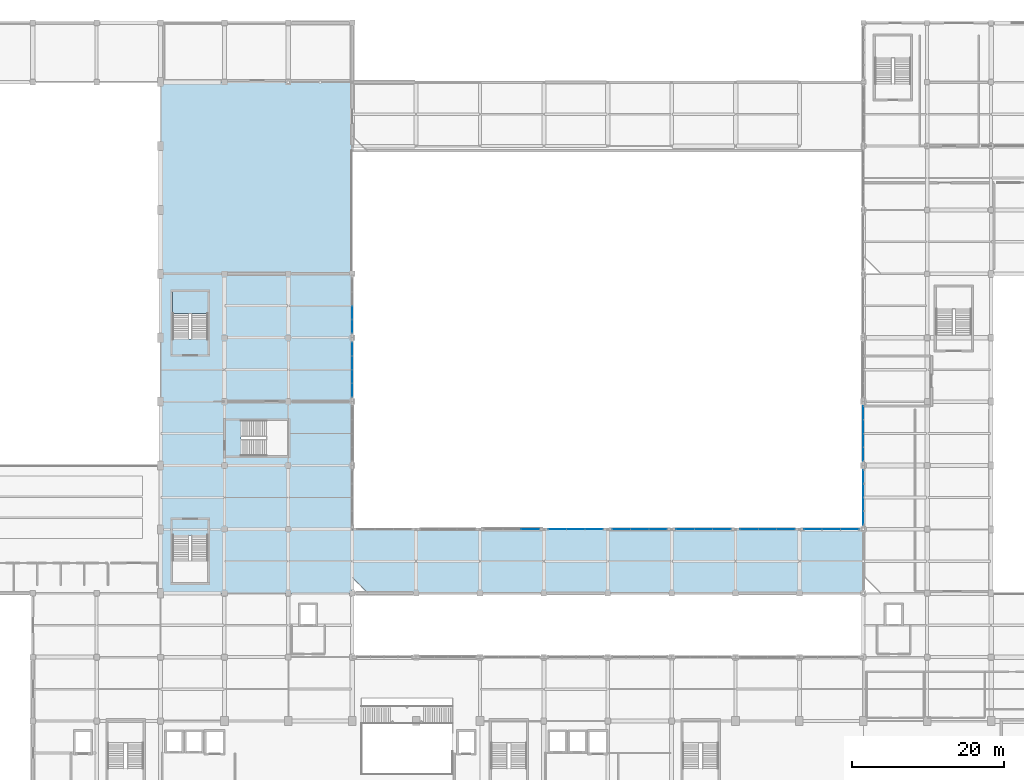
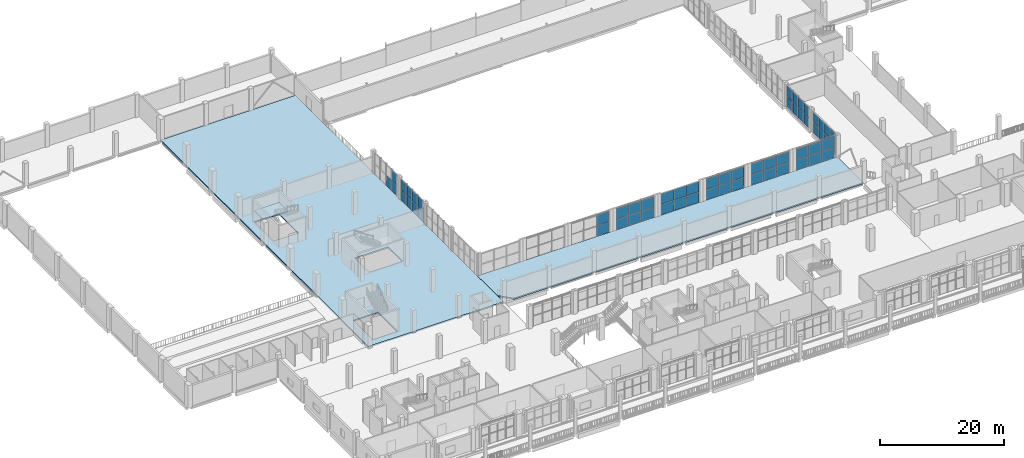
# One storey, part 49 of 75: 59 plates, 3 slabs, 11 elements without a shape of their own.
"""IFC4 building model written with IfcOpenShell, lengths in metres."""

from ifc_helpers import new_model, si_unit, derived_unit, direction, frame, origin, origin_2d, place, context, subcontext, project, spatial, polyline, rectangle, outline, extrude, material, layer, layer_set, type_object, element, aggregate, save


model = new_model("IFC4")

# Units and contexts
model_context = context("Model", 3, precision=1e-05, world=origin(), true_north=direction((0.0, 1.0)))
body_context = subcontext(model_context, "Body", "Model", "MODEL_VIEW")
ifc_project = project(units=[si_unit("LENGTHUNIT", "METRE"), si_unit("AREAUNIT", "SQUARE_METRE"), si_unit("VOLUMEUNIT", "CUBIC_METRE"), si_unit("PLANEANGLEUNIT", "RADIAN"), si_unit("MASSUNIT", "GRAM", prefix="KILO"), derived_unit("THERMALTRANSMITTANCEUNIT", [(si_unit("POWERUNIT", "WATT"), 1), (si_unit("LENGTHUNIT", "METRE"), -2), (si_unit("THERMODYNAMICTEMPERATUREUNIT", "KELVIN"), -1)])], contexts=[model_context])

# Site, building, storey
site_placement = place(None, origin())
site = spatial("IfcSite", under=ifc_project, at=site_placement, CompositionType="ELEMENT")
building_placement = place(site_placement, origin())
building = spatial("IfcBuilding", under=site, at=building_placement, Name="Barrovel Congress Hotel", CompositionType="ELEMENT")
storey_placement = place(building_placement, frame((0.0, 0.0, 5.39990234375)))
storey = spatial("IfcBuildingStorey", under=building, at=storey_placement, Name="L01", CompositionType="ELEMENT", Elevation=5.39990234375)

# Curtain wall, plates
ifc_material_1 = material(Name="Anodised Aluminium Alloy 6063-T6", Category="aluminium")
curtain_wall_type = type_object("IfcCurtainWallType", Name="CW-ST-7200x3600", PredefinedType="USERDEFINED", material=ifc_material_1)
curtain_wall_1_placement = place(storey_placement, origin())
curtain_wall_1 = element("IfcCurtainWall", 1, at=curtain_wall_1_placement, inside=storey, type_object=curtain_wall_type, Name="CW:L01:CW:71.4", ObjectType="STICK CURTAIN WALL", PredefinedType="USERDEFINED")
ifc_material_2 = material(Name="Double Low-E Insulated Glazing", Category="glass")
ifc_layer_1 = layer(ifc_material_2, 0.028076171875)
ifc_layer_set_1 = layer_set([ifc_layer_1], Name="Double Low-E Insulated Glazing")
plate_type_1 = type_object("IfcPlateType", Name="CWP-28", PredefinedType="CURTAIN_PANEL", material=ifc_layer_set_1)
plate_1_placement = place(storey_placement, frame((58.800048828125, 72.89990234375, 0.0302734375), z_axis=(0.0, 0.0, 1.0), x_axis=(0.0, 1.0, 0.0)))
plate_1 = element("IfcPlate", 2, at=plate_1_placement, type_object=plate_type_1, Name="CW:L01:CW:71.4:P0-0", PredefinedType="CURTAIN_PANEL", context=body_context, shape_type="SweptSolid", body=[
    extrude(rectangle(XDim=1.739990234375, YDim=0.028076171875, at=origin_2d()), origin(), (0.0, 0.0, 1.0), 2.050048828125),
])
plate_2_placement = place(storey_placement, frame((58.800048828125, 72.89990234375, 2.14013671875), z_axis=(0.0, 0.0, 1.0), x_axis=(0.0, 1.0, 0.0)))
plate_2 = element("IfcPlate", 3, at=plate_2_placement, type_object=plate_type_1, Name="CW:L01:CW:71.4:P0-1", PredefinedType="CURTAIN_PANEL", context=body_context, shape_type="SweptSolid", body=[
    extrude(rectangle(XDim=1.739990234375, YDim=0.028076171875, at=origin_2d()), origin(), (0.0, 0.0, 1.0), 2.050048828125),
])
plate_3_placement = place(storey_placement, frame((58.800048828125, 74.699951171875, 0.0302734375), z_axis=(0.0, 0.0, 1.0), x_axis=(0.0, 1.0, 0.0)))
plate_3 = element("IfcPlate", 4, at=plate_3_placement, type_object=plate_type_1, Name="CW:L01:CW:71.4:P1-0", PredefinedType="CURTAIN_PANEL", context=body_context, shape_type="SweptSolid", body=[
    extrude(rectangle(XDim=1.739990234375, YDim=0.028076171875, at=origin_2d()), origin(), (0.0, 0.0, 1.0), 2.050048828125),
])
aggregate(curtain_wall_1, [plate_1, plate_2, plate_3])

curtain_wall_2_placement = place(storey_placement, origin())
curtain_wall_2 = element("IfcCurtainWall", 5, at=curtain_wall_2_placement, inside=storey, type_object=curtain_wall_type, Name="CW:L01:CE:54.6", ObjectType="STICK CURTAIN WALL", PredefinedType="USERDEFINED")
plate_4_placement = place(storey_placement, frame((126.0, 61.5, 0.0302734375), z_axis=(0.0, 0.0, 1.0), x_axis=(0.0, -1.0, 0.0)))
plate_4 = element("IfcPlate", 6, at=plate_4_placement, type_object=plate_type_1, Name="CW:L01:CE:54.6:P0-0", PredefinedType="CURTAIN_PANEL", context=body_context, shape_type="SweptSolid", body=[
    extrude(rectangle(XDim=1.739990234375, YDim=0.028076171875, at=origin_2d()), origin(), (0.0, 0.0, 1.0), 2.050048828125),
])
plate_5_placement = place(storey_placement, frame((126.0, 61.5, 2.14013671875), z_axis=(0.0, 0.0, 1.0), x_axis=(0.0, -1.0, 0.0)))
plate_5 = element("IfcPlate", 7, at=plate_5_placement, type_object=plate_type_1, Name="CW:L01:CE:54.6:P0-1", PredefinedType="CURTAIN_PANEL", context=body_context, shape_type="SweptSolid", body=[
    extrude(rectangle(XDim=1.739990234375, YDim=0.028076171875, at=origin_2d()), origin(), (0.0, 0.0, 1.0), 2.050048828125),
])
plate_6_placement = place(storey_placement, frame((126.0, 59.699951171875, 0.0302734375), z_axis=(0.0, 0.0, 1.0), x_axis=(0.0, -1.0, 0.0)))
plate_6 = element("IfcPlate", 8, at=plate_6_placement, type_object=plate_type_1, Name="CW:L01:CE:54.6:P1-0", PredefinedType="CURTAIN_PANEL", context=body_context, shape_type="SweptSolid", body=[
    extrude(rectangle(XDim=1.739990234375, YDim=0.028076171875, at=origin_2d()), origin(), (0.0, 0.0, 1.0), 2.050048828125),
])
plate_7_placement = place(storey_placement, frame((126.0, 59.699951171875, 2.14013671875), z_axis=(0.0, 0.0, 1.0), x_axis=(0.0, -1.0, 0.0)))
plate_7 = element("IfcPlate", 9, at=plate_7_placement, type_object=plate_type_1, Name="CW:L01:CE:54.6:P1-1", PredefinedType="CURTAIN_PANEL", context=body_context, shape_type="SweptSolid", body=[
    extrude(rectangle(XDim=1.739990234375, YDim=0.028076171875, at=origin_2d()), origin(), (0.0, 0.0, 1.0), 2.050048828125),
])
plate_8_placement = place(storey_placement, frame((126.0, 57.89990234375, 0.0302734375), z_axis=(0.0, 0.0, 1.0), x_axis=(0.0, -1.0, 0.0)))
plate_8 = element("IfcPlate", 10, at=plate_8_placement, type_object=plate_type_1, Name="CW:L01:CE:54.6:P2-0", PredefinedType="CURTAIN_PANEL", context=body_context, shape_type="SweptSolid", body=[
    extrude(rectangle(XDim=1.739990234375, YDim=0.028076171875, at=origin_2d()), origin(), (0.0, 0.0, 1.0), 2.050048828125),
])
plate_9_placement = place(storey_placement, frame((126.0, 57.89990234375, 2.14013671875), z_axis=(0.0, 0.0, 1.0), x_axis=(0.0, -1.0, 0.0)))
plate_9 = element("IfcPlate", 11, at=plate_9_placement, type_object=plate_type_1, Name="CW:L01:CE:54.6:P2-1", PredefinedType="CURTAIN_PANEL", context=body_context, shape_type="SweptSolid", body=[
    extrude(rectangle(XDim=1.739990234375, YDim=0.028076171875, at=origin_2d()), origin(), (0.0, 0.0, 1.0), 2.050048828125),
])
plate_10_placement = place(storey_placement, frame((126.0, 56.10009765625, 0.0302734375), z_axis=(0.0, 0.0, 1.0), x_axis=(0.0, -1.0, 0.0)))
plate_10 = element("IfcPlate", 12, at=plate_10_placement, type_object=plate_type_1, Name="CW:L01:CE:54.6:P3-0", PredefinedType="CURTAIN_PANEL", context=body_context, shape_type="SweptSolid", body=[
    extrude(rectangle(XDim=1.739990234375, YDim=0.028076171875, at=origin_2d()), origin(), (0.0, 0.0, 1.0), 2.050048828125),
])
plate_11_placement = place(storey_placement, frame((126.0, 56.10009765625, 2.14013671875), z_axis=(0.0, 0.0, 1.0), x_axis=(0.0, -1.0, 0.0)))
plate_11 = element("IfcPlate", 13, at=plate_11_placement, type_object=plate_type_1, Name="CW:L01:CE:54.6:P3-1", PredefinedType="CURTAIN_PANEL", context=body_context, shape_type="SweptSolid", body=[
    extrude(rectangle(XDim=1.739990234375, YDim=0.028076171875, at=origin_2d()), origin(), (0.0, 0.0, 1.0), 2.050048828125),
])
aggregate(curtain_wall_2, [plate_4, plate_5, plate_6, plate_7, plate_8, plate_9, plate_10, plate_11])

curtain_wall_3_placement = place(storey_placement, origin())
curtain_wall_3 = element("IfcCurtainWall", 14, at=curtain_wall_3_placement, inside=storey, type_object=curtain_wall_type, Name="CW:L01:CL:10", ObjectType="STICK CURTAIN WALL", PredefinedType="USERDEFINED")
plate_12_placement = place(storey_placement, frame((90.60009765625, 46.199951171875, 0.0302734375), z_axis=(0.0, 0.0, 1.0), x_axis=(-1.0, 0.0, 0.0)))
plate_12 = element("IfcPlate", 15, at=plate_12_placement, type_object=plate_type_1, Name="CW:L01:CL:10:P0-0", PredefinedType="CURTAIN_PANEL", context=body_context, shape_type="SweptSolid", body=[
    extrude(rectangle(XDim=2.340087890625, YDim=0.028076171875, at=origin_2d()), origin(), (0.0, 0.0, 1.0), 2.050048828125),
])
plate_13_placement = place(storey_placement, frame((90.60009765625, 46.199951171875, 2.14013671875), z_axis=(0.0, 0.0, 1.0), x_axis=(-1.0, 0.0, 0.0)))
plate_13 = element("IfcPlate", 16, at=plate_13_placement, type_object=plate_type_1, Name="CW:L01:CL:10:P0-1", PredefinedType="CURTAIN_PANEL", context=body_context, shape_type="SweptSolid", body=[
    extrude(rectangle(XDim=2.340087890625, YDim=0.028076171875, at=origin_2d()), origin(), (0.0, 0.0, 1.0), 2.050048828125),
])
plate_14_placement = place(storey_placement, frame((88.199951171875, 46.199951171875, 0.0302734375), z_axis=(0.0, 0.0, 1.0), x_axis=(-1.0, 0.0, 0.0)))
plate_14 = element("IfcPlate", 17, at=plate_14_placement, type_object=plate_type_1, Name="CW:L01:CL:10:P1-0", PredefinedType="CURTAIN_PANEL", context=body_context, shape_type="SweptSolid", body=[
    extrude(rectangle(XDim=2.340087890625, YDim=0.028076171875, at=origin_2d()), origin(), (0.0, 0.0, 1.0), 2.050048828125),
])
plate_15_placement = place(storey_placement, frame((88.199951171875, 46.199951171875, 2.14013671875), z_axis=(0.0, 0.0, 1.0), x_axis=(-1.0, 0.0, 0.0)))
plate_15 = element("IfcPlate", 18, at=plate_15_placement, type_object=plate_type_1, Name="CW:L01:CL:10:P1-1", PredefinedType="CURTAIN_PANEL", context=body_context, shape_type="SweptSolid", body=[
    extrude(rectangle(XDim=2.340087890625, YDim=0.028076171875, at=origin_2d()), origin(), (0.0, 0.0, 1.0), 2.050048828125),
])
plate_16_placement = place(storey_placement, frame((85.800048828125, 46.199951171875, 0.0302734375), z_axis=(0.0, 0.0, 1.0), x_axis=(-1.0, 0.0, 0.0)))
plate_16 = element("IfcPlate", 19, at=plate_16_placement, type_object=plate_type_1, Name="CW:L01:CL:10:P2-0", PredefinedType="CURTAIN_PANEL", context=body_context, shape_type="SweptSolid", body=[
    extrude(rectangle(XDim=2.340087890625, YDim=0.028076171875, at=origin_2d()), origin(), (0.0, 0.0, 1.0), 2.050048828125),
])
plate_17_placement = place(storey_placement, frame((85.800048828125, 46.199951171875, 2.14013671875), z_axis=(0.0, 0.0, 1.0), x_axis=(-1.0, 0.0, 0.0)))
plate_17 = element("IfcPlate", 20, at=plate_17_placement, type_object=plate_type_1, Name="CW:L01:CL:10:P2-1", PredefinedType="CURTAIN_PANEL", context=body_context, shape_type="SweptSolid", body=[
    extrude(rectangle(XDim=2.340087890625, YDim=0.028076171875, at=origin_2d()), origin(), (0.0, 0.0, 1.0), 2.050048828125),
])
aggregate(curtain_wall_3, [plate_12, plate_13, plate_14, plate_15, plate_16, plate_17])

curtain_wall_4_placement = place(storey_placement, origin())
curtain_wall_4 = element("IfcCurtainWall", 21, at=curtain_wall_4_placement, inside=storey, type_object=curtain_wall_type, Name="CW:L01:CL:12", ObjectType="STICK CURTAIN WALL", PredefinedType="USERDEFINED")
plate_18_placement = place(storey_placement, frame((107.39990234375, 46.199951171875, 0.0302734375), z_axis=(0.0, 0.0, 1.0), x_axis=(-1.0, 0.0, 0.0)))
plate_18 = element("IfcPlate", 22, at=plate_18_placement, type_object=plate_type_1, Name="CW:L01:CL:12:P0-0", PredefinedType="CURTAIN_PANEL", context=body_context, shape_type="SweptSolid", body=[
    extrude(rectangle(XDim=2.340087890625, YDim=0.028076171875, at=origin_2d()), origin(), (0.0, 0.0, 1.0), 2.050048828125),
])
plate_19_placement = place(storey_placement, frame((107.39990234375, 46.199951171875, 2.14013671875), z_axis=(0.0, 0.0, 1.0), x_axis=(-1.0, 0.0, 0.0)))
plate_19 = element("IfcPlate", 23, at=plate_19_placement, type_object=plate_type_1, Name="CW:L01:CL:12:P0-1", PredefinedType="CURTAIN_PANEL", context=body_context, shape_type="SweptSolid", body=[
    extrude(rectangle(XDim=2.340087890625, YDim=0.028076171875, at=origin_2d()), origin(), (0.0, 0.0, 1.0), 2.050048828125),
])
plate_20_placement = place(storey_placement, frame((105.0, 46.199951171875, 0.0302734375), z_axis=(0.0, 0.0, 1.0), x_axis=(-1.0, 0.0, 0.0)))
plate_20 = element("IfcPlate", 24, at=plate_20_placement, type_object=plate_type_1, Name="CW:L01:CL:12:P1-0", PredefinedType="CURTAIN_PANEL", context=body_context, shape_type="SweptSolid", body=[
    extrude(rectangle(XDim=2.340087890625, YDim=0.028076171875, at=origin_2d()), origin(), (0.0, 0.0, 1.0), 2.050048828125),
])
plate_21_placement = place(storey_placement, frame((105.0, 46.199951171875, 2.14013671875), z_axis=(0.0, 0.0, 1.0), x_axis=(-1.0, 0.0, 0.0)))
plate_21 = element("IfcPlate", 25, at=plate_21_placement, type_object=plate_type_1, Name="CW:L01:CL:12:P1-1", PredefinedType="CURTAIN_PANEL", context=body_context, shape_type="SweptSolid", body=[
    extrude(rectangle(XDim=2.340087890625, YDim=0.028076171875, at=origin_2d()), origin(), (0.0, 0.0, 1.0), 2.050048828125),
])
plate_22_placement = place(storey_placement, frame((102.60009765625, 46.199951171875, 0.0302734375), z_axis=(0.0, 0.0, 1.0), x_axis=(-1.0, 0.0, 0.0)))
plate_22 = element("IfcPlate", 26, at=plate_22_placement, type_object=plate_type_1, Name="CW:L01:CL:12:P2-0", PredefinedType="CURTAIN_PANEL", context=body_context, shape_type="SweptSolid", body=[
    extrude(rectangle(XDim=2.340087890625, YDim=0.028076171875, at=origin_2d()), origin(), (0.0, 0.0, 1.0), 2.050048828125),
])
plate_23_placement = place(storey_placement, frame((102.60009765625, 46.199951171875, 2.14013671875), z_axis=(0.0, 0.0, 1.0), x_axis=(-1.0, 0.0, 0.0)))
plate_23 = element("IfcPlate", 27, at=plate_23_placement, type_object=plate_type_1, Name="CW:L01:CL:12:P2-1", PredefinedType="CURTAIN_PANEL", context=body_context, shape_type="SweptSolid", body=[
    extrude(rectangle(XDim=2.340087890625, YDim=0.028076171875, at=origin_2d()), origin(), (0.0, 0.0, 1.0), 2.050048828125),
])
aggregate(curtain_wall_4, [plate_18, plate_19, plate_20, plate_21, plate_22, plate_23])

curtain_wall_5_placement = place(storey_placement, origin())
curtain_wall_5 = element("IfcCurtainWall", 28, at=curtain_wall_5_placement, inside=storey, type_object=curtain_wall_type, Name="CW:L01:CL:14", ObjectType="STICK CURTAIN WALL", PredefinedType="USERDEFINED")
plate_24_placement = place(storey_placement, frame((124.199951171875, 46.199951171875, 0.0302734375), z_axis=(0.0, 0.0, 1.0), x_axis=(-1.0, 0.0, 0.0)))
plate_24 = element("IfcPlate", 29, at=plate_24_placement, type_object=plate_type_1, Name="CW:L01:CL:14:P0-0", PredefinedType="CURTAIN_PANEL", context=body_context, shape_type="SweptSolid", body=[
    extrude(rectangle(XDim=2.340087890625, YDim=0.028076171875, at=origin_2d()), origin(), (0.0, 0.0, 1.0), 2.050048828125),
])
plate_25_placement = place(storey_placement, frame((124.199951171875, 46.199951171875, 2.14013671875), z_axis=(0.0, 0.0, 1.0), x_axis=(-1.0, 0.0, 0.0)))
plate_25 = element("IfcPlate", 30, at=plate_25_placement, type_object=plate_type_1, Name="CW:L01:CL:14:P0-1", PredefinedType="CURTAIN_PANEL", context=body_context, shape_type="SweptSolid", body=[
    extrude(rectangle(XDim=2.340087890625, YDim=0.028076171875, at=origin_2d()), origin(), (0.0, 0.0, 1.0), 2.050048828125),
])
plate_26_placement = place(storey_placement, frame((121.800048828125, 46.199951171875, 0.0302734375), z_axis=(0.0, 0.0, 1.0), x_axis=(-1.0, 0.0, 0.0)))
plate_26 = element("IfcPlate", 31, at=plate_26_placement, type_object=plate_type_1, Name="CW:L01:CL:14:P1-0", PredefinedType="CURTAIN_PANEL", context=body_context, shape_type="SweptSolid", body=[
    extrude(rectangle(XDim=2.340087890625, YDim=0.028076171875, at=origin_2d()), origin(), (0.0, 0.0, 1.0), 2.050048828125),
])
plate_27_placement = place(storey_placement, frame((121.800048828125, 46.199951171875, 2.14013671875), z_axis=(0.0, 0.0, 1.0), x_axis=(-1.0, 0.0, 0.0)))
plate_27 = element("IfcPlate", 32, at=plate_27_placement, type_object=plate_type_1, Name="CW:L01:CL:14:P1-1", PredefinedType="CURTAIN_PANEL", context=body_context, shape_type="SweptSolid", body=[
    extrude(rectangle(XDim=2.340087890625, YDim=0.028076171875, at=origin_2d()), origin(), (0.0, 0.0, 1.0), 2.050048828125),
])
plate_28_placement = place(storey_placement, frame((119.39990234375, 46.199951171875, 0.0302734375), z_axis=(0.0, 0.0, 1.0), x_axis=(-1.0, 0.0, 0.0)))
plate_28 = element("IfcPlate", 33, at=plate_28_placement, type_object=plate_type_1, Name="CW:L01:CL:14:P2-0", PredefinedType="CURTAIN_PANEL", context=body_context, shape_type="SweptSolid", body=[
    extrude(rectangle(XDim=2.340087890625, YDim=0.028076171875, at=origin_2d()), origin(), (0.0, 0.0, 1.0), 2.050048828125),
])
plate_29_placement = place(storey_placement, frame((119.39990234375, 46.199951171875, 2.14013671875), z_axis=(0.0, 0.0, 1.0), x_axis=(-1.0, 0.0, 0.0)))
plate_29 = element("IfcPlate", 34, at=plate_29_placement, type_object=plate_type_1, Name="CW:L01:CL:14:P2-1", PredefinedType="CURTAIN_PANEL", context=body_context, shape_type="SweptSolid", body=[
    extrude(rectangle(XDim=2.340087890625, YDim=0.028076171875, at=origin_2d()), origin(), (0.0, 0.0, 1.0), 2.050048828125),
])
aggregate(curtain_wall_5, [plate_24, plate_25, plate_26, plate_27, plate_28, plate_29])

curtain_wall_6_placement = place(storey_placement, origin())
curtain_wall_6 = element("IfcCurtainWall", 35, at=curtain_wall_6_placement, inside=storey, type_object=curtain_wall_type, Name="CW:L01:CW:63.0", ObjectType="STICK CURTAIN WALL", PredefinedType="USERDEFINED")
ifc_layer_2 = layer(ifc_material_2, 0.031982421875)
ifc_layer_set_2 = layer_set([ifc_layer_2], Name="Double Low-E Insulated Glazing")
plate_type_2 = type_object("IfcPlateType", Name="CWP-32", PredefinedType="CURTAIN_PANEL", material=ifc_layer_set_2)
plate_30_placement = place(storey_placement, frame((58.800048828125, 64.5, 0.0302734375), z_axis=(0.0, 0.0, 1.0), x_axis=(0.0, 1.0, 0.0)))
plate_30 = element("IfcPlate", 36, at=plate_30_placement, type_object=plate_type_2, Name="CW:L01:CW:63.0:P0-0", PredefinedType="CURTAIN_PANEL", context=body_context, shape_type="SweptSolid", body=[
    extrude(rectangle(XDim=1.739990234375, YDim=0.031982421875, at=origin_2d()), origin(), (0.0, 0.0, 1.0), 2.050048828125),
])
plate_31_placement = place(storey_placement, frame((58.800048828125, 64.5, 2.14013671875), z_axis=(0.0, 0.0, 1.0), x_axis=(0.0, 1.0, 0.0)))
plate_31 = element("IfcPlate", 37, at=plate_31_placement, type_object=plate_type_2, Name="CW:L01:CW:63.0:P0-1", PredefinedType="CURTAIN_PANEL", context=body_context, shape_type="SweptSolid", body=[
    extrude(rectangle(XDim=1.739990234375, YDim=0.031982421875, at=origin_2d()), origin(), (0.0, 0.0, 1.0), 2.050048828125),
])
plate_32_placement = place(storey_placement, frame((58.800048828125, 66.300048828125, 0.0302734375), z_axis=(0.0, 0.0, 1.0), x_axis=(0.0, 1.0, 0.0)))
plate_32 = element("IfcPlate", 38, at=plate_32_placement, type_object=plate_type_2, Name="CW:L01:CW:63.0:P1-0", PredefinedType="CURTAIN_PANEL", context=body_context, shape_type="SweptSolid", body=[
    extrude(rectangle(XDim=1.739990234375, YDim=0.031982421875, at=origin_2d()), origin(), (0.0, 0.0, 1.0), 2.050048828125),
])
plate_33_placement = place(storey_placement, frame((58.800048828125, 66.300048828125, 2.14013671875), z_axis=(0.0, 0.0, 1.0), x_axis=(0.0, 1.0, 0.0)))
plate_33 = element("IfcPlate", 39, at=plate_33_placement, type_object=plate_type_2, Name="CW:L01:CW:63.0:P1-1", PredefinedType="CURTAIN_PANEL", context=body_context, shape_type="SweptSolid", body=[
    extrude(rectangle(XDim=1.739990234375, YDim=0.031982421875, at=origin_2d()), origin(), (0.0, 0.0, 1.0), 2.050048828125),
])
plate_34_placement = place(storey_placement, frame((58.800048828125, 68.10009765625, 0.0302734375), z_axis=(0.0, 0.0, 1.0), x_axis=(0.0, 1.0, 0.0)))
plate_34 = element("IfcPlate", 40, at=plate_34_placement, type_object=plate_type_2, Name="CW:L01:CW:63.0:P2-0", PredefinedType="CURTAIN_PANEL", context=body_context, shape_type="SweptSolid", body=[
    extrude(rectangle(XDim=1.739990234375, YDim=0.031982421875, at=origin_2d()), origin(), (0.0, 0.0, 1.0), 2.050048828125),
])
plate_35_placement = place(storey_placement, frame((58.800048828125, 68.10009765625, 2.14013671875), z_axis=(0.0, 0.0, 1.0), x_axis=(0.0, 1.0, 0.0)))
plate_35 = element("IfcPlate", 41, at=plate_35_placement, type_object=plate_type_2, Name="CW:L01:CW:63.0:P2-1", PredefinedType="CURTAIN_PANEL", context=body_context, shape_type="SweptSolid", body=[
    extrude(rectangle(XDim=1.739990234375, YDim=0.031982421875, at=origin_2d()), origin(), (0.0, 0.0, 1.0), 2.050048828125),
])
plate_36_placement = place(storey_placement, frame((58.800048828125, 69.89990234375, 0.0302734375), z_axis=(0.0, 0.0, 1.0), x_axis=(0.0, 1.0, 0.0)))
plate_36 = element("IfcPlate", 42, at=plate_36_placement, type_object=plate_type_2, Name="CW:L01:CW:63.0:P3-0", PredefinedType="CURTAIN_PANEL", context=body_context, shape_type="SweptSolid", body=[
    extrude(rectangle(XDim=1.739990234375, YDim=0.031982421875, at=origin_2d()), origin(), (0.0, 0.0, 1.0), 2.050048828125),
])
plate_37_placement = place(storey_placement, frame((58.800048828125, 69.89990234375, 2.14013671875), z_axis=(0.0, 0.0, 1.0), x_axis=(0.0, 1.0, 0.0)))
plate_37 = element("IfcPlate", 43, at=plate_37_placement, type_object=plate_type_2, Name="CW:L01:CW:63.0:P3-1", PredefinedType="CURTAIN_PANEL", context=body_context, shape_type="SweptSolid", body=[
    extrude(rectangle(XDim=1.739990234375, YDim=0.031982421875, at=origin_2d()), origin(), (0.0, 0.0, 1.0), 2.050048828125),
])
aggregate(curtain_wall_6, [plate_30, plate_31, plate_32, plate_33, plate_34, plate_35, plate_36, plate_37])

curtain_wall_7_placement = place(storey_placement, origin())
curtain_wall_7 = element("IfcCurtainWall", 44, at=curtain_wall_7_placement, inside=storey, type_object=curtain_wall_type, Name="CW:L01:CE:46.2", ObjectType="STICK CURTAIN WALL", PredefinedType="USERDEFINED")
plate_38_placement = place(storey_placement, frame((126.0, 53.10009765625, 0.0302734375), z_axis=(0.0, 0.0, 1.0), x_axis=(0.0, -1.0, 0.0)))
plate_38 = element("IfcPlate", 45, at=plate_38_placement, type_object=plate_type_2, Name="CW:L01:CE:46.2:P0-0", PredefinedType="CURTAIN_PANEL", context=body_context, shape_type="SweptSolid", body=[
    extrude(rectangle(XDim=1.739990234375, YDim=0.031982421875, at=origin_2d()), origin(), (0.0, 0.0, 1.0), 2.050048828125),
])
plate_39_placement = place(storey_placement, frame((126.0, 53.10009765625, 2.14013671875), z_axis=(0.0, 0.0, 1.0), x_axis=(0.0, -1.0, 0.0)))
plate_39 = element("IfcPlate", 46, at=plate_39_placement, type_object=plate_type_2, Name="CW:L01:CE:46.2:P0-1", PredefinedType="CURTAIN_PANEL", context=body_context, shape_type="SweptSolid", body=[
    extrude(rectangle(XDim=1.739990234375, YDim=0.031982421875, at=origin_2d()), origin(), (0.0, 0.0, 1.0), 2.050048828125),
])
plate_40_placement = place(storey_placement, frame((126.0, 51.300048828125, 0.0302734375), z_axis=(0.0, 0.0, 1.0), x_axis=(0.0, -1.0, 0.0)))
plate_40 = element("IfcPlate", 47, at=plate_40_placement, type_object=plate_type_2, Name="CW:L01:CE:46.2:P1-0", PredefinedType="CURTAIN_PANEL", context=body_context, shape_type="SweptSolid", body=[
    extrude(rectangle(XDim=1.739990234375, YDim=0.031982421875, at=origin_2d()), origin(), (0.0, 0.0, 1.0), 2.050048828125),
])
plate_41_placement = place(storey_placement, frame((126.0, 51.300048828125, 2.14013671875), z_axis=(0.0, 0.0, 1.0), x_axis=(0.0, -1.0, 0.0)))
plate_41 = element("IfcPlate", 48, at=plate_41_placement, type_object=plate_type_2, Name="CW:L01:CE:46.2:P1-1", PredefinedType="CURTAIN_PANEL", context=body_context, shape_type="SweptSolid", body=[
    extrude(rectangle(XDim=1.739990234375, YDim=0.031982421875, at=origin_2d()), origin(), (0.0, 0.0, 1.0), 2.050048828125),
])
plate_42_placement = place(storey_placement, frame((126.0, 49.5, 0.0302734375), z_axis=(0.0, 0.0, 1.0), x_axis=(0.0, -1.0, 0.0)))
plate_42 = element("IfcPlate", 49, at=plate_42_placement, type_object=plate_type_2, Name="CW:L01:CE:46.2:P2-0", PredefinedType="CURTAIN_PANEL", context=body_context, shape_type="SweptSolid", body=[
    extrude(rectangle(XDim=1.739990234375, YDim=0.031982421875, at=origin_2d()), origin(), (0.0, 0.0, 1.0), 2.050048828125),
])
plate_43_placement = place(storey_placement, frame((126.0, 49.5, 2.14013671875), z_axis=(0.0, 0.0, 1.0), x_axis=(0.0, -1.0, 0.0)))
plate_43 = element("IfcPlate", 50, at=plate_43_placement, type_object=plate_type_2, Name="CW:L01:CE:46.2:P2-1", PredefinedType="CURTAIN_PANEL", context=body_context, shape_type="SweptSolid", body=[
    extrude(rectangle(XDim=1.739990234375, YDim=0.031982421875, at=origin_2d()), origin(), (0.0, 0.0, 1.0), 2.050048828125),
])
plate_44_placement = place(storey_placement, frame((126.0, 47.699951171875, 0.0302734375), z_axis=(0.0, 0.0, 1.0), x_axis=(0.0, -1.0, 0.0)))
plate_44 = element("IfcPlate", 51, at=plate_44_placement, type_object=plate_type_2, Name="CW:L01:CE:46.2:P3-0", PredefinedType="CURTAIN_PANEL", context=body_context, shape_type="SweptSolid", body=[
    extrude(rectangle(XDim=1.739990234375, YDim=0.031982421875, at=origin_2d()), origin(), (0.0, 0.0, 1.0), 2.050048828125),
])
plate_45_placement = place(storey_placement, frame((126.0, 47.699951171875, 2.14013671875), z_axis=(0.0, 0.0, 1.0), x_axis=(0.0, -1.0, 0.0)))
plate_45 = element("IfcPlate", 52, at=plate_45_placement, type_object=plate_type_2, Name="CW:L01:CE:46.2:P3-1", PredefinedType="CURTAIN_PANEL", context=body_context, shape_type="SweptSolid", body=[
    extrude(rectangle(XDim=1.739990234375, YDim=0.031982421875, at=origin_2d()), origin(), (0.0, 0.0, 1.0), 2.050048828125),
])
aggregate(curtain_wall_7, [plate_38, plate_39, plate_40, plate_41, plate_42, plate_43, plate_44, plate_45])

curtain_wall_8_placement = place(storey_placement, origin())
curtain_wall_8 = element("IfcCurtainWall", 53, at=curtain_wall_8_placement, inside=storey, type_object=curtain_wall_type, Name="CW:L01:CL:09", ObjectType="STICK CURTAIN WALL", PredefinedType="USERDEFINED")
plate_46_placement = place(storey_placement, frame((82.199951171875, 46.199951171875, 0.0302734375), z_axis=(0.0, 0.0, 1.0), x_axis=(-1.0, 0.0, 0.0)))
plate_46 = element("IfcPlate", 54, at=plate_46_placement, type_object=plate_type_2, Name="CW:L01:CL:09:P0-0", PredefinedType="CURTAIN_PANEL", context=body_context, shape_type="SweptSolid", body=[
    extrude(rectangle(XDim=2.340087890625, YDim=0.031982421875, at=origin_2d()), origin(), (0.0, 0.0, 1.0), 2.050048828125),
])
plate_47_placement = place(storey_placement, frame((82.199951171875, 46.199951171875, 2.14013671875), z_axis=(0.0, 0.0, 1.0), x_axis=(-1.0, 0.0, 0.0)))
plate_47 = element("IfcPlate", 55, at=plate_47_placement, type_object=plate_type_2, Name="CW:L01:CL:09:P0-1", PredefinedType="CURTAIN_PANEL", context=body_context, shape_type="SweptSolid", body=[
    extrude(rectangle(XDim=2.340087890625, YDim=0.031982421875, at=origin_2d()), origin(), (0.0, 0.0, 1.0), 2.050048828125),
])
aggregate(curtain_wall_8, [plate_46, plate_47])

curtain_wall_9_placement = place(storey_placement, origin())
curtain_wall_9 = element("IfcCurtainWall", 56, at=curtain_wall_9_placement, inside=storey, type_object=curtain_wall_type, Name="CW:L01:CL:11", ObjectType="STICK CURTAIN WALL", PredefinedType="USERDEFINED")
plate_48_placement = place(storey_placement, frame((99.0, 46.199951171875, 0.0302734375), z_axis=(0.0, 0.0, 1.0), x_axis=(-1.0, 0.0, 0.0)))
plate_48 = element("IfcPlate", 57, at=plate_48_placement, type_object=plate_type_2, Name="CW:L01:CL:11:P0-0", PredefinedType="CURTAIN_PANEL", context=body_context, shape_type="SweptSolid", body=[
    extrude(rectangle(XDim=2.340087890625, YDim=0.031982421875, at=origin_2d()), origin(), (0.0, 0.0, 1.0), 2.050048828125),
])
plate_49_placement = place(storey_placement, frame((99.0, 46.199951171875, 2.14013671875), z_axis=(0.0, 0.0, 1.0), x_axis=(-1.0, 0.0, 0.0)))
plate_49 = element("IfcPlate", 58, at=plate_49_placement, type_object=plate_type_2, Name="CW:L01:CL:11:P0-1", PredefinedType="CURTAIN_PANEL", context=body_context, shape_type="SweptSolid", body=[
    extrude(rectangle(XDim=2.340087890625, YDim=0.031982421875, at=origin_2d()), origin(), (0.0, 0.0, 1.0), 2.050048828125),
])
plate_50_placement = place(storey_placement, frame((96.60009765625, 46.199951171875, 0.0302734375), z_axis=(0.0, 0.0, 1.0), x_axis=(-1.0, 0.0, 0.0)))
plate_50 = element("IfcPlate", 59, at=plate_50_placement, type_object=plate_type_2, Name="CW:L01:CL:11:P1-0", PredefinedType="CURTAIN_PANEL", context=body_context, shape_type="SweptSolid", body=[
    extrude(rectangle(XDim=2.340087890625, YDim=0.031982421875, at=origin_2d()), origin(), (0.0, 0.0, 1.0), 2.050048828125),
])
plate_51_placement = place(storey_placement, frame((96.60009765625, 46.199951171875, 2.14013671875), z_axis=(0.0, 0.0, 1.0), x_axis=(-1.0, 0.0, 0.0)))
plate_51 = element("IfcPlate", 60, at=plate_51_placement, type_object=plate_type_2, Name="CW:L01:CL:11:P1-1", PredefinedType="CURTAIN_PANEL", context=body_context, shape_type="SweptSolid", body=[
    extrude(rectangle(XDim=2.340087890625, YDim=0.031982421875, at=origin_2d()), origin(), (0.0, 0.0, 1.0), 2.050048828125),
])
plate_52_placement = place(storey_placement, frame((94.199951171875, 46.199951171875, 0.0302734375), z_axis=(0.0, 0.0, 1.0), x_axis=(-1.0, 0.0, 0.0)))
plate_52 = element("IfcPlate", 61, at=plate_52_placement, type_object=plate_type_2, Name="CW:L01:CL:11:P2-0", PredefinedType="CURTAIN_PANEL", context=body_context, shape_type="SweptSolid", body=[
    extrude(rectangle(XDim=2.340087890625, YDim=0.031982421875, at=origin_2d()), origin(), (0.0, 0.0, 1.0), 2.050048828125),
])
plate_53_placement = place(storey_placement, frame((94.199951171875, 46.199951171875, 2.14013671875), z_axis=(0.0, 0.0, 1.0), x_axis=(-1.0, 0.0, 0.0)))
plate_53 = element("IfcPlate", 62, at=plate_53_placement, type_object=plate_type_2, Name="CW:L01:CL:11:P2-1", PredefinedType="CURTAIN_PANEL", context=body_context, shape_type="SweptSolid", body=[
    extrude(rectangle(XDim=2.340087890625, YDim=0.031982421875, at=origin_2d()), origin(), (0.0, 0.0, 1.0), 2.050048828125),
])
aggregate(curtain_wall_9, [plate_48, plate_49, plate_50, plate_51, plate_52, plate_53])

curtain_wall_10_placement = place(storey_placement, origin())
curtain_wall_10 = element("IfcCurtainWall", 63, at=curtain_wall_10_placement, inside=storey, type_object=curtain_wall_type, Name="CW:L01:CL:13", ObjectType="STICK CURTAIN WALL", PredefinedType="USERDEFINED")
plate_54_placement = place(storey_placement, frame((115.800048828125, 46.199951171875, 0.0302734375), z_axis=(0.0, 0.0, 1.0), x_axis=(-1.0, 0.0, 0.0)))
plate_54 = element("IfcPlate", 64, at=plate_54_placement, type_object=plate_type_2, Name="CW:L01:CL:13:P0-0", PredefinedType="CURTAIN_PANEL", context=body_context, shape_type="SweptSolid", body=[
    extrude(rectangle(XDim=2.340087890625, YDim=0.031982421875, at=origin_2d()), origin(), (0.0, 0.0, 1.0), 2.050048828125),
])
plate_55_placement = place(storey_placement, frame((115.800048828125, 46.199951171875, 2.14013671875), z_axis=(0.0, 0.0, 1.0), x_axis=(-1.0, 0.0, 0.0)))
plate_55 = element("IfcPlate", 65, at=plate_55_placement, type_object=plate_type_2, Name="CW:L01:CL:13:P0-1", PredefinedType="CURTAIN_PANEL", context=body_context, shape_type="SweptSolid", body=[
    extrude(rectangle(XDim=2.340087890625, YDim=0.031982421875, at=origin_2d()), origin(), (0.0, 0.0, 1.0), 2.050048828125),
])
plate_56_placement = place(storey_placement, frame((113.39990234375, 46.199951171875, 0.0302734375), z_axis=(0.0, 0.0, 1.0), x_axis=(-1.0, 0.0, 0.0)))
plate_56 = element("IfcPlate", 66, at=plate_56_placement, type_object=plate_type_2, Name="CW:L01:CL:13:P1-0", PredefinedType="CURTAIN_PANEL", context=body_context, shape_type="SweptSolid", body=[
    extrude(rectangle(XDim=2.340087890625, YDim=0.031982421875, at=origin_2d()), origin(), (0.0, 0.0, 1.0), 2.050048828125),
])
plate_57_placement = place(storey_placement, frame((113.39990234375, 46.199951171875, 2.14013671875), z_axis=(0.0, 0.0, 1.0), x_axis=(-1.0, 0.0, 0.0)))
plate_57 = element("IfcPlate", 67, at=plate_57_placement, type_object=plate_type_2, Name="CW:L01:CL:13:P1-1", PredefinedType="CURTAIN_PANEL", context=body_context, shape_type="SweptSolid", body=[
    extrude(rectangle(XDim=2.340087890625, YDim=0.031982421875, at=origin_2d()), origin(), (0.0, 0.0, 1.0), 2.050048828125),
])
plate_58_placement = place(storey_placement, frame((111.0, 46.199951171875, 0.0302734375), z_axis=(0.0, 0.0, 1.0), x_axis=(-1.0, 0.0, 0.0)))
plate_58 = element("IfcPlate", 68, at=plate_58_placement, type_object=plate_type_2, Name="CW:L01:CL:13:P2-0", PredefinedType="CURTAIN_PANEL", context=body_context, shape_type="SweptSolid", body=[
    extrude(rectangle(XDim=2.340087890625, YDim=0.031982421875, at=origin_2d()), origin(), (0.0, 0.0, 1.0), 2.050048828125),
])
plate_59_placement = place(storey_placement, frame((111.0, 46.199951171875, 2.14013671875), z_axis=(0.0, 0.0, 1.0), x_axis=(-1.0, 0.0, 0.0)))
plate_59 = element("IfcPlate", 69, at=plate_59_placement, type_object=plate_type_2, Name="CW:L01:CL:13:P2-1", PredefinedType="CURTAIN_PANEL", context=body_context, shape_type="SweptSolid", body=[
    extrude(rectangle(XDim=2.340087890625, YDim=0.031982421875, at=origin_2d()), origin(), (0.0, 0.0, 1.0), 2.050048828125),
])
aggregate(curtain_wall_10, [plate_54, plate_55, plate_56, plate_57, plate_58, plate_59])

# Slabs
ifc_material_3 = material(Name="Concrete C35", Category="concrete")
ifc_layer_3 = layer(ifc_material_3, 0.260009765625)
ifc_layer_set_3 = layer_set([ifc_layer_3], Name="Concrete C35")
slab_type_1 = type_object("IfcSlabType", Name="SL-F260", PredefinedType="FLOOR", material=ifc_layer_set_3)
slab_1_placement = place(storey_placement, frame((0.0, 0.0, -0.260009765625)))
element("IfcSlab", 70, at=slab_1_placement, inside=storey, type_object=slab_type_1, Name="SLAB:L01:V1-FOYER", PredefinedType="FLOOR", context=body_context, shape_type="SweptSolid", body=[
    extrude(outline(polyline([(33.60009765625, 37.800048828125), (58.800048828125, 37.800048828125), (58.800048828125, 105.0), (33.60009765625, 105.0), (33.60009765625, 37.800048828125)]), holes=[polyline([(44.179931640625, 55.89990234375), (44.179931640625, 60.5), (50.39990234375, 60.5), (50.39990234375, 55.89990234375), (44.179931640625, 55.89990234375)]), polyline([(35.199951171875, 71.219970703125), (35.199951171875, 77.43994140625), (39.800048828125, 77.43994140625), (39.800048828125, 71.219970703125), (35.199951171875, 71.219970703125)]), polyline([(35.199951171875, 39.199951171875), (35.199951171875, 45.419921875), (39.800048828125, 45.419921875), (39.800048828125, 39.199951171875), (35.199951171875, 39.199951171875)])]), origin(), (0.0, 0.0, 1.0), 0.260009765625),
])
slab_2_placement = place(storey_placement, frame((0.0, 0.0, -0.260009765625)))
element("IfcSlab", 71, at=slab_2_placement, inside=storey, type_object=slab_type_1, Name="SLAB:L01:V5-CLOISTER", PredefinedType="FLOOR", context=body_context, shape_type="SweptSolid", body=[
    extrude(outline(polyline([(60.800048828125, 37.800048828125), (126.0, 37.800048828125), (126.0, 46.199951171875), (58.800048828125, 46.199951171875), (58.800048828125, 39.800048828125), (60.800048828125, 37.800048828125)])), origin(), (0.0, 0.0, 1.0), 0.260009765625),
])

# Stair, slab
ifc_material_4 = material(Name="Concrete C40", Category="concrete")
stair_type = type_object("IfcStairType", Name="STR-2Q-450", PredefinedType="TWO_QUARTER_TURN_STAIR", material=ifc_material_4)
stair_placement = place(storey_placement, origin())
stair = element("IfcStair", 72, at=stair_placement, inside=storey, type_object=stair_type, Name="Exit Stair XS-07 (L01)", PredefinedType="TWO_QUARTER_TURN_STAIR")
ifc_layer_4 = layer(ifc_material_4, 0.18994140625)
ifc_layer_set_4 = layer_set([ifc_layer_4], Name="Concrete C40")
slab_type_2 = type_object("IfcSlabType", Name="SL-LDG-190", PredefinedType="LANDING", material=ifc_layer_set_4)
slab_3_placement = place(storey_placement, frame((0.0, 0.0, 2.06005859375)))
slab_3 = element("IfcSlab", 73, at=slab_3_placement, type_object=slab_type_2, Name="STAIR:XS-07:L01:LDG", PredefinedType="LANDING", context=body_context, shape_type="SweptSolid", body=[
    extrude(outline(polyline([(35.179931640625, 74.570068359375), (39.820068359375, 74.570068359375), (39.820068359375, 77.4599609375), (35.179931640625, 77.4599609375), (35.179931640625, 74.570068359375)])), origin(), (0.0, 0.0, 1.0), 0.18994140625),
])
aggregate(stair, [slab_3])

save(model, "model.ifc")
